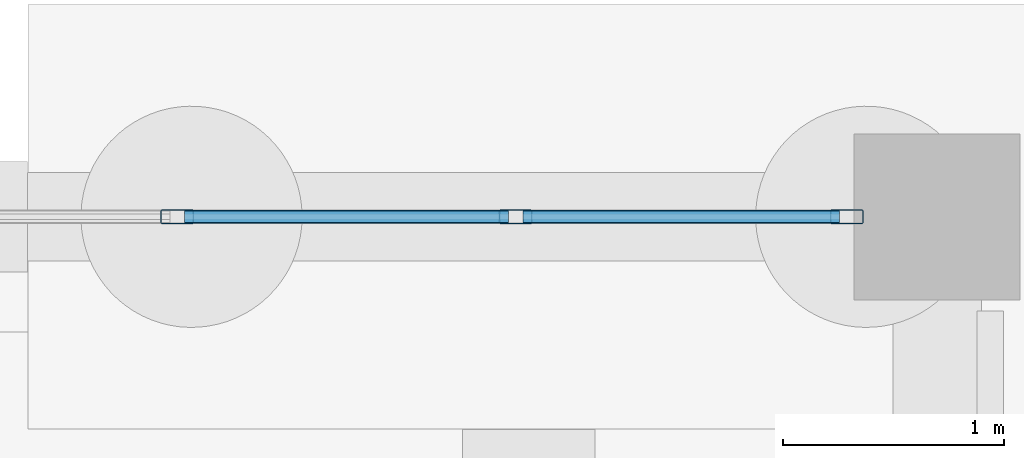
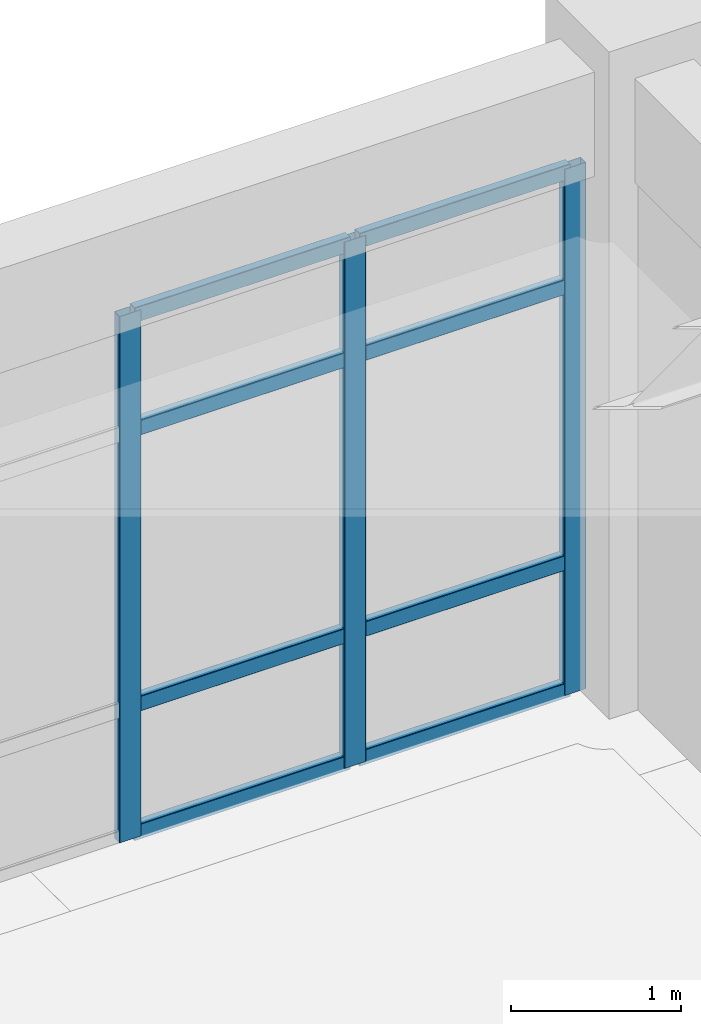
# One storey, part 13 of 29: 11 members, 1 element without a shape of its own.
"""IFC4 building model written with IfcOpenShell, lengths in metres."""

from ifc_helpers import new_model, si_unit, direction, frame, origin, origin_2d, place, context, subcontext, project, spatial, hollow_rectangle, extrude, material, material_profile, profile_set, type_object, element, aggregate, save


model = new_model("IFC4")

# Units and contexts
model_context = context("Model", 3, precision=1e-05, world=origin(), true_north=direction((0.0, 1.0)))
body_context = subcontext(model_context, "Body", "Model", "MODEL_VIEW")
ifc_project = project(units=[si_unit("LENGTHUNIT", "METRE"), si_unit("AREAUNIT", "SQUARE_METRE"), si_unit("VOLUMEUNIT", "CUBIC_METRE"), si_unit("PLANEANGLEUNIT", "RADIAN"), si_unit("MASSUNIT", "GRAM", prefix="KILO")], contexts=[model_context])

# Site, building, storey
site_placement = place(None, origin())
site = spatial("IfcSite", under=ifc_project, at=site_placement, CompositionType="ELEMENT")
building_placement = place(site_placement, origin())
building = spatial("IfcBuilding", under=site, at=building_placement, Name="Canglan Escarpment Cableway Terminal", CompositionType="ELEMENT")
storey_placement = place(building_placement, origin())
storey = spatial("IfcBuildingStorey", under=building, at=storey_placement, Name="L00", CompositionType="ELEMENT", Elevation=0.0)

# Curtain wall, members
ifc_material_1 = material(Name="Anodized bronze aluminium and Low-E double glazing", Category="aluminium")
curtain_wall_type = type_object("IfcCurtainWallType", Name="CW-BAY-7650x3775", PredefinedType="NOTDEFINED", material=ifc_material_1)
curtain_wall_placement = place(storey_placement, origin())
curtain_wall = element("IfcCurtainWall", 1, at=curtain_wall_placement, inside=storey, type_object=curtain_wall_type, Name="Classical bay-between-piers glazed curtain wall CW-03", PredefinedType="NOTDEFINED")
ifc_material_2 = material(Name="Thermally broken anodized aluminium 6063-T6", Category="aluminium")
ifc_material_profile_1 = material_profile(ifc_material_2, hollow_rectangle(XDim=0.06494140625, YDim=0.14990234375, WallThickness=0.00341796875, InnerFilletRadius=0.00341796875, OuterFilletRadius=0.007080078125, at=origin_2d()), Name="ALU-MULL 65x150x3.5")
ifc_profile_set_1 = profile_set([ifc_material_profile_1], Name="Thermally broken anodized aluminium 6063-T6")
member_type_1 = type_object("IfcMemberType", Name="CWM-02", PredefinedType="MULLION", material=ifc_profile_set_1)
member_1_placement = place(storey_placement, frame((75.6923828125, 24.800048828125, 0.0), z_axis=(0.0, 0.0, 1.0), x_axis=(0.0, -1.0, 0.0)))
member_1 = element("IfcMember", 2, at=member_1_placement, type_object=member_type_1, Name="CW-03 mullion 1", PredefinedType="MULLION", context=body_context, shape_type="SweptSolid", body=[
    extrude(hollow_rectangle(XDim=0.06494140625, YDim=0.14990234375, WallThickness=0.00341796875, InnerFilletRadius=0.00341796875, OuterFilletRadius=0.007080078125, at=origin_2d()), origin(), (0.0, 0.0, 1.0), 3.784912109375),
])
member_2_placement = place(storey_placement, frame((74.195068359375, 24.800048828125, 0.0), z_axis=(0.0, 0.0, 1.0), x_axis=(0.0, -1.0, 0.0)))
member_2 = element("IfcMember", 3, at=member_2_placement, type_object=member_type_1, Name="CW-03 mullion 2", PredefinedType="MULLION", context=body_context, shape_type="SweptSolid", body=[
    extrude(hollow_rectangle(XDim=0.06494140625, YDim=0.14990234375, WallThickness=0.00341796875, InnerFilletRadius=0.00341796875, OuterFilletRadius=0.007080078125, at=origin_2d()), origin(), (0.0, 0.0, 1.0), 3.784912109375),
])
member_3_placement = place(storey_placement, frame((72.6650390625, 24.800048828125, 0.0), z_axis=(0.0, 0.0, 1.0), x_axis=(0.0, -1.0, 0.0)))
member_3 = element("IfcMember", 4, at=member_3_placement, type_object=member_type_1, Name="CW-03 mullion 3", PredefinedType="MULLION", context=body_context, shape_type="SweptSolid", body=[
    extrude(hollow_rectangle(XDim=0.06494140625, YDim=0.14990234375, WallThickness=0.00341796875, InnerFilletRadius=0.00341796875, OuterFilletRadius=0.007080078125, at=origin_2d()), origin(), (0.0, 0.0, 1.0), 3.784912109375),
])
ifc_material_profile_2 = material_profile(ifc_material_2, hollow_rectangle(XDim=0.06005859375, YDim=0.110107421875, WallThickness=0.0029296875, InnerFilletRadius=0.0029296875, OuterFilletRadius=0.006103515625, at=origin_2d()), Name="ALU-TRAN 60x110x3")
ifc_profile_set_2 = profile_set([ifc_material_profile_2], Name="Thermally broken anodized aluminium 6063-T6")
member_type_2 = type_object("IfcMemberType", Name="CWT-02", PredefinedType="USERDEFINED", material=ifc_profile_set_2)
member_4_placement = place(storey_placement, frame((75.659912109375, 24.800048828125, 0.030029296875), z_axis=(-1.0, 0.0, 0.0), x_axis=(0.0, -1.0, 0.0)))
member_4 = element("IfcMember", 5, at=member_4_placement, type_object=member_type_2, Name="CW-03 transom 1.1", ObjectType="TRANSOM", PredefinedType="USERDEFINED", context=body_context, shape_type="SweptSolid", body=[
    extrude(hollow_rectangle(XDim=0.06005859375, YDim=0.110107421875, WallThickness=0.0029296875, InnerFilletRadius=0.0029296875, OuterFilletRadius=0.006103515625, at=origin_2d()), origin(), (0.0, 0.0, 1.0), 1.432373046875),
])
member_5_placement = place(storey_placement, frame((75.659912109375, 24.800048828125, 0.949951171875), z_axis=(-1.0, 0.0, 0.0), x_axis=(0.0, -1.0, 0.0)))
member_5 = element("IfcMember", 6, at=member_5_placement, type_object=member_type_2, Name="CW-03 transom 1.2", ObjectType="TRANSOM", PredefinedType="USERDEFINED", context=body_context, shape_type="SweptSolid", body=[
    extrude(hollow_rectangle(XDim=0.06005859375, YDim=0.110107421875, WallThickness=0.0029296875, InnerFilletRadius=0.0029296875, OuterFilletRadius=0.006103515625, at=origin_2d()), origin(), (0.0, 0.0, 1.0), 1.432373046875),
])
member_6_placement = place(storey_placement, frame((75.659912109375, 24.800048828125, 2.93505859375), z_axis=(-1.0, 0.0, 0.0), x_axis=(0.0, -1.0, 0.0)))
member_6 = element("IfcMember", 7, at=member_6_placement, type_object=member_type_2, Name="CW-03 transom 1.3", ObjectType="TRANSOM", PredefinedType="USERDEFINED", context=body_context, shape_type="SweptSolid", body=[
    extrude(hollow_rectangle(XDim=0.06005859375, YDim=0.110107421875, WallThickness=0.0029296875, InnerFilletRadius=0.0029296875, OuterFilletRadius=0.006103515625, at=origin_2d()), origin(), (0.0, 0.0, 1.0), 1.432373046875),
])
member_7_placement = place(storey_placement, frame((75.659912109375, 24.800048828125, 3.7548828125), z_axis=(-1.0, 0.0, 0.0), x_axis=(0.0, -1.0, 0.0)))
member_7 = element("IfcMember", 8, at=member_7_placement, type_object=member_type_2, Name="CW-03 transom 1.4", ObjectType="TRANSOM", PredefinedType="USERDEFINED", context=body_context, shape_type="SweptSolid", body=[
    extrude(hollow_rectangle(XDim=0.06005859375, YDim=0.110107421875, WallThickness=0.0029296875, InnerFilletRadius=0.0029296875, OuterFilletRadius=0.006103515625, at=origin_2d()), origin(), (0.0, 0.0, 1.0), 1.432373046875),
])
member_8_placement = place(storey_placement, frame((74.16259765625, 24.800048828125, 0.030029296875), z_axis=(-1.0, 0.0, 0.0), x_axis=(0.0, -1.0, 0.0)))
member_8 = element("IfcMember", 9, at=member_8_placement, type_object=member_type_2, Name="CW-03 transom 2.1", ObjectType="TRANSOM", PredefinedType="USERDEFINED", context=body_context, shape_type="SweptSolid", body=[
    extrude(hollow_rectangle(XDim=0.06005859375, YDim=0.110107421875, WallThickness=0.0029296875, InnerFilletRadius=0.0029296875, OuterFilletRadius=0.006103515625, at=origin_2d()), origin(), (0.0, 0.0, 1.0), 1.465087890625),
])
member_9_placement = place(storey_placement, frame((74.16259765625, 24.800048828125, 0.949951171875), z_axis=(-1.0, 0.0, 0.0), x_axis=(0.0, -1.0, 0.0)))
member_9 = element("IfcMember", 10, at=member_9_placement, type_object=member_type_2, Name="CW-03 transom 2.2", ObjectType="TRANSOM", PredefinedType="USERDEFINED", context=body_context, shape_type="SweptSolid", body=[
    extrude(hollow_rectangle(XDim=0.06005859375, YDim=0.110107421875, WallThickness=0.0029296875, InnerFilletRadius=0.0029296875, OuterFilletRadius=0.006103515625, at=origin_2d()), origin(), (0.0, 0.0, 1.0), 1.465087890625),
])
member_10_placement = place(storey_placement, frame((74.16259765625, 24.800048828125, 2.93505859375), z_axis=(-1.0, 0.0, 0.0), x_axis=(0.0, -1.0, 0.0)))
member_10 = element("IfcMember", 11, at=member_10_placement, type_object=member_type_2, Name="CW-03 transom 2.3", ObjectType="TRANSOM", PredefinedType="USERDEFINED", context=body_context, shape_type="SweptSolid", body=[
    extrude(hollow_rectangle(XDim=0.06005859375, YDim=0.110107421875, WallThickness=0.0029296875, InnerFilletRadius=0.0029296875, OuterFilletRadius=0.006103515625, at=origin_2d()), origin(), (0.0, 0.0, 1.0), 1.465087890625),
])
member_11_placement = place(storey_placement, frame((74.16259765625, 24.800048828125, 3.7548828125), z_axis=(-1.0, 0.0, 0.0), x_axis=(0.0, -1.0, 0.0)))
member_11 = element("IfcMember", 12, at=member_11_placement, type_object=member_type_2, Name="CW-03 transom 2.4", ObjectType="TRANSOM", PredefinedType="USERDEFINED", context=body_context, shape_type="SweptSolid", body=[
    extrude(hollow_rectangle(XDim=0.06005859375, YDim=0.110107421875, WallThickness=0.0029296875, InnerFilletRadius=0.0029296875, OuterFilletRadius=0.006103515625, at=origin_2d()), origin(), (0.0, 0.0, 1.0), 1.465087890625),
])
aggregate(curtain_wall, [member_1, member_2, member_3, member_4, member_5, member_6, member_7, member_8, member_9, member_10, member_11])

save(model, "model.ifc")
